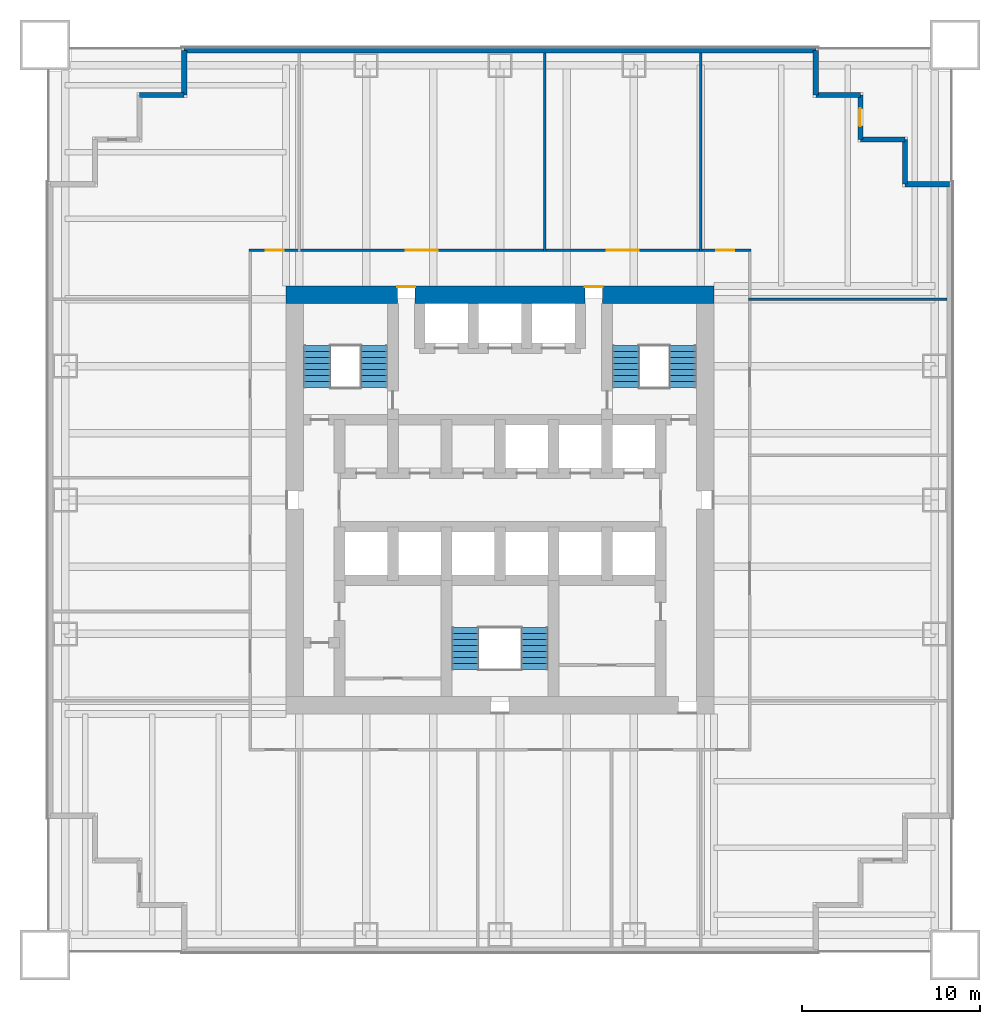
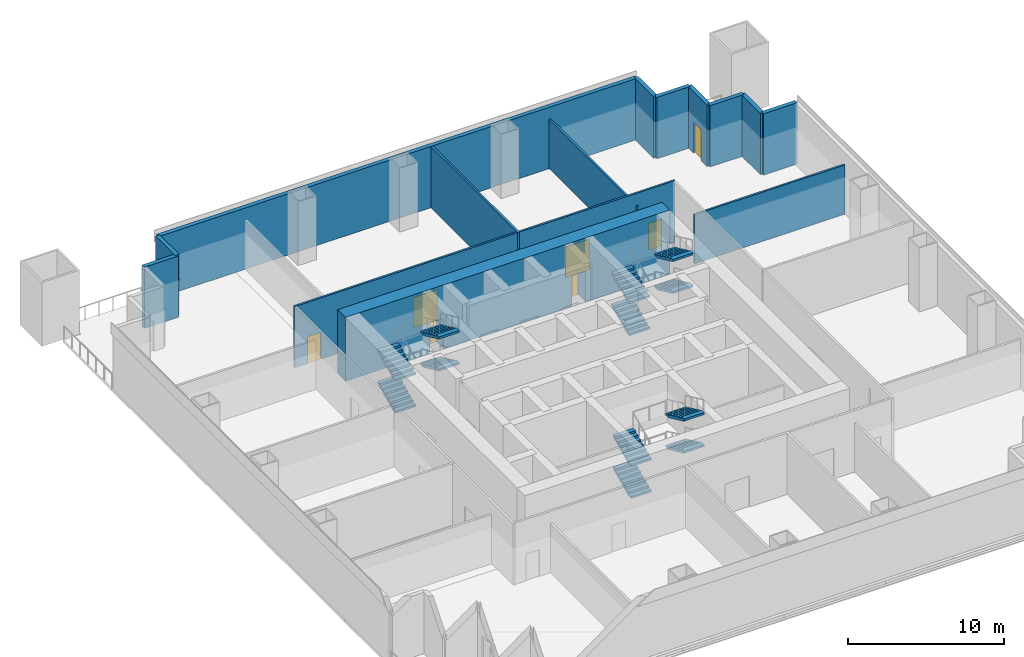
# One storey, part 4 of 6: 14 walls, 12 stair flights, 7 doors, 7 openings, 3 elements without a shape of their own.
"""IFC4 building model written with IfcOpenShell, lengths in metres."""

from ifc_helpers import new_model, si_unit, direction, frame, frame_2d, origin, place, context, subcontext, project, spatial, polyline, rectangle, outline, extrude, material, layer, layer_set, type_object, element, fill, aggregate, save


model = new_model("IFC4")

# Units and contexts
model_context = context("Model", 3, precision=1e-05, world=origin(), true_north=direction((0.0, 1.0)))
body_context = subcontext(model_context, "Body", "Model", "MODEL_VIEW")
ifc_project = project(units=[si_unit("LENGTHUNIT", "METRE"), si_unit("AREAUNIT", "SQUARE_METRE"), si_unit("VOLUMEUNIT", "CUBIC_METRE"), si_unit("PLANEANGLEUNIT", "RADIAN"), si_unit("MASSUNIT", "GRAM", prefix="KILO")], contexts=[model_context])

# Site, building, storey
site_placement = place(None, origin())
site = spatial("IfcSite", under=ifc_project, at=site_placement, CompositionType="ELEMENT")
building_placement = place(site_placement, origin())
building = spatial("IfcBuilding", under=site, at=building_placement, Name="Tarangal Relay Tower", CompositionType="ELEMENT")
storey_placement = place(building_placement, frame((0.0, 0.0, 28.39990234375)))
storey = spatial("IfcBuildingStorey", under=building, at=storey_placement, Name="L05", CompositionType="ELEMENT", Elevation=28.39990234375)

# Wall, openings, doors
ifc_material_1 = material(Name="Concrete fc' 60 MPa", Category="concrete")
ifc_layer_1 = layer(ifc_material_1, 1.0)
ifc_layer_set_1 = layer_set([ifc_layer_1], Name="Core wall 1000")
wall_type_1 = type_object("IfcWallType", Name="Core wall 1000", PredefinedType="SHEAR", material=ifc_layer_set_1)
wall_1_placement = place(storey_placement, frame((-12.0, 11.5, 0.0), z_axis=(0.0, 0.0, 1.0), x_axis=(1.0, 0.0, 0.0)))
wall_1 = element("IfcWall", 1, at=wall_1_placement, inside=storey, type_object=wall_type_1, Name="Core wall N L05", PredefinedType="SHEAR", context=body_context, shape_type="SweptSolid", body=[
    extrude(rectangle(XDim=24.0, YDim=1.0, at=frame_2d((12.0, 0.0))), origin(), (0.0, 0.0, 1.0), 5.0),
])
opening_1_placement = place(wall_1_placement, frame((6.25, 0.0, 0.0)))
opening_1 = element("IfcOpeningElement", 2, at=opening_1_placement, cuts=wall_1, Name="Opening FD3", PredefinedType="OPENING", context=body_context, shape_type="SweptSolid", body=[
    extrude(rectangle(XDim=1.0, YDim=2.39990234375, at=frame_2d((0.5, 1.199951171875))), frame((0.0, 0.510009765625, 0.0), z_axis=(0.0, -1.0, 0.0), x_axis=(1.0, 0.0, 0.0)), (0.0, 0.0, 1.0), 1.02001953125),
])
opening_2_placement = place(wall_1_placement, frame((16.75, 0.0, 0.0)))
opening_2 = element("IfcOpeningElement", 3, at=opening_2_placement, cuts=wall_1, Name="Opening FD3", PredefinedType="OPENING", context=body_context, shape_type="SweptSolid", body=[
    extrude(rectangle(XDim=1.0, YDim=2.39990234375, at=frame_2d((0.5, 1.199951171875))), frame((0.0, 0.510009765625, 0.0), z_axis=(0.0, -1.0, 0.0), x_axis=(1.0, 0.0, 0.0)), (0.0, 0.0, 1.0), 1.02001953125),
])
ifc_material_2 = material(Name="Steel door with hardwood frame", Category="steel")
door_type_1 = type_object("IfcDoorType", Name="Fire door 1000 x 2400 core entry", OperationType="SINGLE_SWING_RIGHT", PredefinedType="DOOR", material=ifc_material_2)
door_1_placement = place(opening_1_placement, origin())
door_1 = element("IfcDoor", 4, at=door_1_placement, inside=storey, type_object=door_type_1, Name="Core entry door north west L05", OperationType="SINGLE_SWING_RIGHT", OverallHeight=2.39990234375, OverallWidth=1.0, PredefinedType="DOOR", context=body_context, shape_type="SweptSolid", body=[
    extrude(rectangle(XDim=1.0, YDim=2.39990234375, at=frame_2d((0.5, 1.199951171875))), frame((0.0, 0.48486328125, 0.0), z_axis=(0.0, -1.0, 0.0), x_axis=(1.0, 0.0, 0.0)), (0.0, 0.0, 1.0), 0.050048828125),
])
fill(opening_1, door_1)
door_2_placement = place(opening_2_placement, origin())
door_2 = element("IfcDoor", 5, at=door_2_placement, inside=storey, type_object=door_type_1, Name="Core entry door north east L05", OperationType="SINGLE_SWING_RIGHT", OverallHeight=2.39990234375, OverallWidth=1.0, PredefinedType="DOOR", context=body_context, shape_type="SweptSolid", body=[
    extrude(rectangle(XDim=1.0, YDim=2.39990234375, at=frame_2d((0.5, 1.199951171875))), frame((0.0, 0.48486328125, 0.0), z_axis=(0.0, -1.0, 0.0), x_axis=(1.0, 0.0, 0.0)), (0.0, 0.0, 1.0), 0.050048828125),
])
fill(opening_2, door_2)

# Walls
ifc_material_3 = material(Name="Insulated precast concrete fc' 40 MPa", Category="concrete")
ifc_layer_2 = layer(ifc_material_3, 0.300048828125)
ifc_layer_set_2 = layer_set([ifc_layer_2], Name="Insulated precast concrete fc' 40 MPa")
wall_type_2 = type_object("IfcWallType", Name="Facade wall precast 300", PredefinedType="SOLIDWALL", material=ifc_layer_set_2)
wall_2_placement = place(storey_placement, frame((-17.699951171875, 25.199951171875, 0.0), z_axis=(0.0, 0.0, 1.0), x_axis=(1.0, 0.0, 0.0)))
element("IfcWall", 6, at=wall_2_placement, inside=storey, type_object=wall_type_2, Name="Facade wall N facade L05", PredefinedType="SOLIDWALL", context=body_context, shape_type="SweptSolid", body=[
    extrude(rectangle(XDim=35.39990234375, YDim=0.300048828125, at=frame_2d((17.699951171875, 0.0))), origin(), (0.0, 0.0, 1.0), 4.800048828125),
])
for number, where, z_axis, x_axis, name in (
    (7, (17.699951171875, 25.199951171875, 0.0), (0.0, 0.0, 1.0), (0.0, -1.0, 0.0), "Facade wall N facade L05"),
    (8, (17.699951171875, 22.699951171875, 0.0), (0.0, 0.0, 1.0), (1.0, 0.0, 0.0), "Facade wall N facade L05"),
):
    element("IfcWall", number, at=place(storey_placement, frame(where, z_axis=z_axis, x_axis=x_axis)), inside=storey, type_object=wall_type_2, Name=name, PredefinedType="SOLIDWALL", context=body_context, shape_type="SweptSolid", body=[
        extrude(rectangle(XDim=2.5, YDim=0.300048828125, at=frame_2d((1.25, 0.0))), origin(), (0.0, 0.0, 1.0), 4.800048828125),
    ])

# Wall, opening, door
wall_3_placement = place(storey_placement, frame((20.199951171875, 22.699951171875, 0.0), z_axis=(0.0, 0.0, 1.0), x_axis=(0.0, -1.0, 0.0)))
wall_3 = element("IfcWall", 9, at=wall_3_placement, inside=storey, type_object=wall_type_2, Name="Facade wall N facade L05", PredefinedType="SOLIDWALL", context=body_context, shape_type="SweptSolid", body=[
    extrude(rectangle(XDim=2.5, YDim=0.300048828125, at=frame_2d((1.25, 0.0))), origin(), (0.0, 0.0, 1.0), 4.800048828125),
])
opening_3_placement = place(wall_3_placement, frame((0.75, 0.0, 0.0)))
opening_3 = element("IfcOpeningElement", 10, at=opening_3_placement, cuts=wall_3, Name="Opening TD1", PredefinedType="OPENING", context=body_context, shape_type="SweptSolid", body=[
    extrude(rectangle(XDim=1.0, YDim=2.39990234375, at=frame_2d((0.5, 1.199951171875))), frame((0.0, 0.159912109375, 0.0), z_axis=(0.0, -1.0, 0.0), x_axis=(1.0, 0.0, 0.0)), (0.0, 0.0, 1.0), 0.320068359375),
])
ifc_material_4 = material(Name="Aluminium glazed door", Category="aluminium")
door_type_2 = type_object("IfcDoorType", Name="Terrace door 1000 x 2400", OperationType="SINGLE_SWING_RIGHT", PredefinedType="DOOR", material=ifc_material_4)
door_3_placement = place(opening_3_placement, origin())
door_3 = element("IfcDoor", 11, at=door_3_placement, inside=storey, type_object=door_type_2, Name="Terrace door TD1 NE L05", OperationType="SINGLE_SWING_RIGHT", OverallHeight=2.39990234375, OverallWidth=1.0, PredefinedType="DOOR", context=body_context, shape_type="SweptSolid", body=[
    extrude(rectangle(XDim=1.0, YDim=2.39990234375, at=frame_2d((0.5, 1.199951171875))), frame((0.0, 0.02490234375, 0.0), z_axis=(0.0, -1.0, 0.0), x_axis=(1.0, 0.0, 0.0)), (0.0, 0.0, 1.0), 0.050048828125),
])
fill(opening_3, door_3)

# Walls
for number, where, z_axis, x_axis, name in (
    (12, (20.199951171875, 20.199951171875, 0.0), (0.0, 0.0, 1.0), (1.0, 0.0, 0.0), "Facade wall N facade L05"),
    (13, (22.699951171875, 20.199951171875, 0.0), (0.0, 0.0, 1.0), (0.0, -1.0, 0.0), "Facade wall N facade L05"),
    (14, (22.699951171875, 17.699951171875, 0.0), (0.0, 0.0, 1.0), (1.0, 0.0, 0.0), "Facade wall N facade L05"),
    (15, (-20.199951171875, 22.699951171875, 0.0), (0.0, 0.0, 1.0), (1.0, 0.0, 0.0), "Facade wall W facade L05"),
    (16, (-17.699951171875, 22.699951171875, 0.0), (0.0, 0.0, 1.0), (0.0, 1.0, 0.0), "Facade wall W facade L05"),
):
    element("IfcWall", number, at=place(storey_placement, frame(where, z_axis=z_axis, x_axis=x_axis)), inside=storey, type_object=wall_type_2, Name=name, PredefinedType="SOLIDWALL", context=body_context, shape_type="SweptSolid", body=[
        extrude(rectangle(XDim=2.5, YDim=0.300048828125, at=frame_2d((1.25, 0.0))), origin(), (0.0, 0.0, 1.0), 4.800048828125),
    ])
ifc_material_5 = material(Name="Gypsum board on steel studs", Category="steel")
ifc_layer_3 = layer(ifc_material_5, 0.14990234375)
ifc_layer_set_3 = layer_set([ifc_layer_3], Name="Partition 150")
wall_type_3 = type_object("IfcWallType", Name="Partition 150", PredefinedType="PARTITIONING", material=ifc_layer_set_3)
wall_4_placement = place(storey_placement, frame((13.925048828125, 11.25, 0.0), z_axis=(0.0, 0.0, 1.0), x_axis=(1.0, 0.0, 0.0)))
element("IfcWall", 17, at=wall_4_placement, inside=storey, type_object=wall_type_3, Name="Partition PT1 L05", PredefinedType="PARTITIONING", context=body_context, shape_type="SweptSolid", body=[
    extrude(rectangle(XDim=11.125, YDim=0.14990234375, at=frame_2d((5.5625, 0.0))), origin(), (0.0, 0.0, 1.0), 3.852783203125),
])

# Wall, openings, doors
wall_5_placement = place(storey_placement, frame((-14.074951171875, 14.0, 0.0), z_axis=(0.0, 0.0, 1.0), x_axis=(1.0, 0.0, 0.0)))
wall_5 = element("IfcWall", 18, at=wall_5_placement, inside=storey, type_object=wall_type_3, Name="Partition PT1 L05", PredefinedType="PARTITIONING", context=body_context, shape_type="SweptSolid", body=[
    extrude(rectangle(XDim=28.14990234375, YDim=0.14990234375, at=frame_2d((14.074951171875, 0.0))), origin(), (0.0, 0.0, 1.0), 4.800048828125),
])
opening_4_placement = place(wall_5_placement, frame((8.800048828125, 0.0, 0.0)))
opening_4 = element("IfcOpeningElement", 19, at=opening_4_placement, cuts=wall_5, Name="Opening DD1", PredefinedType="OPENING", context=body_context, shape_type="SweptSolid", body=[
    extrude(rectangle(XDim=1.800048828125, YDim=2.39990234375, at=frame_2d((0.89990234375, 1.199951171875))), frame((0.0, 0.0849609375, 0.0), z_axis=(0.0, -1.0, 0.0), x_axis=(1.0, 0.0, 0.0)), (0.0, 0.0, 1.0), 0.169921875),
])
opening_5_placement = place(wall_5_placement, frame((20.050048828125, 0.0, 0.0)))
opening_5 = element("IfcOpeningElement", 20, at=opening_5_placement, cuts=wall_5, Name="Opening DD1", PredefinedType="OPENING", context=body_context, shape_type="SweptSolid", body=[
    extrude(rectangle(XDim=1.800048828125, YDim=2.39990234375, at=frame_2d((0.89990234375, 1.199951171875))), frame((0.0, 0.0849609375, 0.0), z_axis=(0.0, -1.0, 0.0), x_axis=(1.0, 0.0, 0.0)), (0.0, 0.0, 1.0), 0.169921875),
])
opening_6_placement = place(wall_5_placement, frame((26.199951171875, 0.0, 0.0)))
opening_6 = element("IfcOpeningElement", 21, at=opening_6_placement, cuts=wall_5, Name="Opening D2", PredefinedType="OPENING", context=body_context, shape_type="SweptSolid", body=[
    extrude(rectangle(XDim=1.0, YDim=2.10009765625, at=frame_2d((0.5, 1.050048828125))), frame((0.0, 0.0849609375, 0.0), z_axis=(0.0, -1.0, 0.0), x_axis=(1.0, 0.0, 0.0)), (0.0, 0.0, 1.0), 0.169921875),
])
opening_7_placement = place(wall_5_placement, frame((0.949951171875, 0.0, 0.0)))
opening_7 = element("IfcOpeningElement", 22, at=opening_7_placement, cuts=wall_5, Name="Opening D2", PredefinedType="OPENING", context=body_context, shape_type="SweptSolid", body=[
    extrude(rectangle(XDim=1.0, YDim=2.10009765625, at=frame_2d((0.5, 1.050048828125))), frame((0.0, 0.0849609375, 0.0), z_axis=(0.0, -1.0, 0.0), x_axis=(1.0, 0.0, 0.0)), (0.0, 0.0, 1.0), 0.169921875),
])
ifc_material_6 = material(Name="Hardwood door", Category="wood")
door_type_3 = type_object("IfcDoorType", Name="Door 1000 x 2100", OperationType="SINGLE_SWING_LEFT", PredefinedType="DOOR", material=ifc_material_6)
door_4_placement = place(opening_6_placement, origin())
door_4 = element("IfcDoor", 23, at=door_4_placement, inside=storey, type_object=door_type_3, Name="Door D2 to engineering office L05-12", OperationType="SINGLE_SWING_LEFT", OverallHeight=2.10009765625, OverallWidth=1.0, PredefinedType="DOOR", context=body_context, shape_type="SweptSolid", body=[
    extrude(rectangle(XDim=1.0, YDim=2.10009765625, at=frame_2d((0.5, 1.050048828125))), frame((0.0, 0.02490234375, 0.0), z_axis=(0.0, -1.0, 0.0), x_axis=(1.0, 0.0, 0.0)), (0.0, 0.0, 1.0), 0.050048828125),
])
fill(opening_6, door_4)
door_5_placement = place(opening_7_placement, origin())
door_5 = element("IfcDoor", 24, at=door_5_placement, inside=storey, type_object=door_type_3, Name="Door D2 to network operations room L05-15", OperationType="SINGLE_SWING_LEFT", OverallHeight=2.10009765625, OverallWidth=1.0, PredefinedType="DOOR", context=body_context, shape_type="SweptSolid", body=[
    extrude(rectangle(XDim=1.0, YDim=2.10009765625, at=frame_2d((0.5, 1.050048828125))), frame((0.0, 0.02490234375, 0.0), z_axis=(0.0, -1.0, 0.0), x_axis=(1.0, 0.0, 0.0)), (0.0, 0.0, 1.0), 0.050048828125),
])
fill(opening_7, door_5)
door_type_4 = type_object("IfcDoorType", Name="Equipment double door 1800 x 2400", OperationType="DOUBLE_DOOR_SINGLE_SWING", PredefinedType="DOOR", material=ifc_material_2)
door_6_placement = place(opening_4_placement, origin())
door_6 = element("IfcDoor", 25, at=door_6_placement, inside=storey, type_object=door_type_4, Name="Door DD1 to data hall L05-02", OperationType="DOUBLE_DOOR_SINGLE_SWING", OverallHeight=2.39990234375, OverallWidth=1.800048828125, PredefinedType="DOOR", context=body_context, shape_type="SweptSolid", body=[
    extrude(rectangle(XDim=1.800048828125, YDim=2.39990234375, at=frame_2d((0.89990234375, 1.199951171875))), frame((0.0, 0.02490234375, 0.0), z_axis=(0.0, -1.0, 0.0), x_axis=(1.0, 0.0, 0.0)), (0.0, 0.0, 1.0), 0.050048828125),
])
fill(opening_4, door_6)
door_7_placement = place(opening_5_placement, origin())
door_7 = element("IfcDoor", 26, at=door_7_placement, inside=storey, type_object=door_type_4, Name="Door DD1 to meet-me room L05-03", OperationType="DOUBLE_DOOR_SINGLE_SWING", OverallHeight=2.39990234375, OverallWidth=1.800048828125, PredefinedType="DOOR", context=body_context, shape_type="SweptSolid", body=[
    extrude(rectangle(XDim=1.800048828125, YDim=2.39990234375, at=frame_2d((0.89990234375, 1.199951171875))), frame((0.0, 0.02490234375, 0.0), z_axis=(0.0, -1.0, 0.0), x_axis=(1.0, 0.0, 0.0)), (0.0, 0.0, 1.0), 0.050048828125),
])
fill(opening_5, door_7)

# Walls
wall_6_placement = place(storey_placement, frame((2.5, 13.925048828125, 0.0), z_axis=(0.0, 0.0, 1.0), x_axis=(0.0, 1.0, 0.0)))
element("IfcWall", 27, at=wall_6_placement, inside=storey, type_object=wall_type_3, Name="Partition PT1 L05", PredefinedType="PARTITIONING", context=body_context, shape_type="SweptSolid", body=[
    extrude(rectangle(XDim=11.125, YDim=0.14990234375, at=frame_2d((5.5625, 0.0))), origin(), (0.0, 0.0, 1.0), 4.800048828125),
])
wall_7_placement = place(storey_placement, frame((11.25, 13.925048828125, 0.0), z_axis=(0.0, 0.0, 1.0), x_axis=(0.0, 1.0, 0.0)))
element("IfcWall", 28, at=wall_7_placement, inside=storey, type_object=wall_type_3, Name="Partition PT1 L05", PredefinedType="PARTITIONING", context=body_context, shape_type="SweptSolid", body=[
    extrude(rectangle(XDim=11.125, YDim=0.14990234375, at=frame_2d((5.5625, 0.0))), origin(), (0.0, 0.0, 1.0), 3.852783203125),
])

# Stair, stair flights
ifc_material_7 = material(Name="Steel ASTM A992 stair flight", Category="steel")
stair_type = type_object("IfcStairType", Name="Core stair 1500", PredefinedType="HALF_TURN_STAIR", material=ifc_material_7)
stair_1_placement = place(storey_placement, origin())
stair_1 = element("IfcStair", 29, at=stair_1_placement, inside=storey, type_object=stair_type, Name="Stair ST-A L05", PredefinedType="HALF_TURN_STAIR")
stair_flight_type = type_object("IfcStairFlightType", Name="Steel stair flight 1500, 8 risers 156 x 335", PredefinedType="STRAIGHT", material=ifc_material_7)
stair_flight_1_placement = place(storey_placement, frame((-10.25, 6.300048828125, 0.0), z_axis=(0.0, 0.0, 1.0), x_axis=(0.0, 1.0, 0.0)))
stair_flight_1 = element("IfcStairFlight", 30, at=stair_flight_1_placement, type_object=stair_flight_type, Name="ST-A flight 1", NumberOfRisers=8, NumberOfTreads=7, PredefinedType="STRAIGHT", RiserHeight=0.15625, TreadLength=0.335, context=body_context, shape_type="SweptSolid", body=[
    extrude(outline(polyline([(0.0, 0.0), (0.0, 0.15625), (0.3349609375, 0.15625), (0.3349609375, 0.3125), (0.669921875, 0.3125), (0.669921875, 0.46875), (1.0048828125, 0.46875), (1.0048828125, 0.625), (1.340087890625, 0.625), (1.340087890625, 0.78125), (1.675048828125, 0.78125), (1.675048828125, 0.9375), (2.010009765625, 0.9375), (2.010009765625, 1.09375), (2.344970703125, 1.09375), (2.344970703125, 1.25), (2.344970703125, 0.92822265625), (0.354736328125, 0.0), (0.0, 0.0)])), frame((0.0, 0.75, 0.0), z_axis=(0.0, -1.0, 0.0), x_axis=(1.0, 0.0, 0.0)), (0.0, 0.0, 1.0), 1.5),
])
stair_flight_2_placement = place(storey_placement, frame((-7.050048828125, 8.64501953125, 1.25), z_axis=(0.0, 0.0, 1.0), x_axis=(0.0, -1.0, 0.0)))
stair_flight_2 = element("IfcStairFlight", 31, at=stair_flight_2_placement, type_object=stair_flight_type, Name="ST-A flight 2", NumberOfRisers=8, NumberOfTreads=7, PredefinedType="STRAIGHT", RiserHeight=0.15625, TreadLength=0.335, context=body_context, shape_type="SweptSolid", body=[
    extrude(outline(polyline([(0.0, 0.0), (0.0, 0.15625), (0.3349609375, 0.15625), (0.3349609375, 0.3125), (0.669921875, 0.3125), (0.669921875, 0.46875), (1.0048828125, 0.46875), (1.0048828125, 0.625), (1.340087890625, 0.625), (1.340087890625, 0.78125), (1.675048828125, 0.78125), (1.675048828125, 0.9375), (2.010009765625, 0.9375), (2.010009765625, 1.09375), (2.344970703125, 1.09375), (2.344970703125, 1.25), (2.344970703125, 0.92822265625), (0.354736328125, 0.0), (0.0, 0.0)])), frame((0.0, 0.75, 0.0), z_axis=(0.0, -1.0, 0.0), x_axis=(1.0, 0.0, 0.0)), (0.0, 0.0, 1.0), 1.5),
])
stair_flight_3_placement = place(storey_placement, frame((-10.25, 6.300048828125, 2.5), z_axis=(0.0, 0.0, 1.0), x_axis=(0.0, 1.0, 0.0)))
stair_flight_3 = element("IfcStairFlight", 32, at=stair_flight_3_placement, type_object=stair_flight_type, Name="ST-A flight 3", NumberOfRisers=8, NumberOfTreads=7, PredefinedType="STRAIGHT", RiserHeight=0.15625, TreadLength=0.335, context=body_context, shape_type="SweptSolid", body=[
    extrude(outline(polyline([(0.0, 0.0), (0.0, 0.15625), (0.3349609375, 0.15625), (0.3349609375, 0.3125), (0.669921875, 0.3125), (0.669921875, 0.46875), (1.0048828125, 0.46875), (1.0048828125, 0.625), (1.340087890625, 0.625), (1.340087890625, 0.78125), (1.675048828125, 0.78125), (1.675048828125, 0.9375), (2.010009765625, 0.9375), (2.010009765625, 1.09375), (2.344970703125, 1.09375), (2.344970703125, 1.25), (2.344970703125, 0.92822265625), (0.354736328125, 0.0), (0.0, 0.0)])), frame((0.0, 0.75, 0.0), z_axis=(0.0, -1.0, 0.0), x_axis=(1.0, 0.0, 0.0)), (0.0, 0.0, 1.0), 1.5),
])
stair_flight_4_placement = place(storey_placement, frame((-7.050048828125, 8.64501953125, 3.75), z_axis=(0.0, 0.0, 1.0), x_axis=(0.0, -1.0, 0.0)))
stair_flight_4 = element("IfcStairFlight", 33, at=stair_flight_4_placement, type_object=stair_flight_type, Name="ST-A flight 4", NumberOfRisers=8, NumberOfTreads=7, PredefinedType="STRAIGHT", RiserHeight=0.15625, TreadLength=0.335, context=body_context, shape_type="SweptSolid", body=[
    extrude(outline(polyline([(0.0, 0.0), (0.0, 0.15625), (0.3349609375, 0.15625), (0.3349609375, 0.3125), (0.669921875, 0.3125), (0.669921875, 0.46875), (1.0048828125, 0.46875), (1.0048828125, 0.625), (1.340087890625, 0.625), (1.340087890625, 0.78125), (1.675048828125, 0.78125), (1.675048828125, 0.9375), (2.010009765625, 0.9375), (2.010009765625, 1.09375), (2.344970703125, 1.09375), (2.344970703125, 1.25), (2.344970703125, 0.92822265625), (0.354736328125, 0.0), (0.0, 0.0)])), frame((0.0, 0.75, 0.0), z_axis=(0.0, -1.0, 0.0), x_axis=(1.0, 0.0, 0.0)), (0.0, 0.0, 1.0), 1.5),
])
aggregate(stair_1, [stair_flight_1, stair_flight_2, stair_flight_3, stair_flight_4])

stair_2_placement = place(storey_placement, origin())
stair_2 = element("IfcStair", 34, at=stair_2_placement, inside=storey, type_object=stair_type, Name="Stair ST-B L05", PredefinedType="HALF_TURN_STAIR")
stair_flight_5_placement = place(storey_placement, frame((7.050048828125, 6.300048828125, 0.0), z_axis=(0.0, 0.0, 1.0), x_axis=(0.0, 1.0, 0.0)))
stair_flight_5 = element("IfcStairFlight", 35, at=stair_flight_5_placement, type_object=stair_flight_type, Name="ST-B flight 1", NumberOfRisers=8, NumberOfTreads=7, PredefinedType="STRAIGHT", RiserHeight=0.15625, TreadLength=0.335, context=body_context, shape_type="SweptSolid", body=[
    extrude(outline(polyline([(0.0, 0.0), (0.0, 0.15625), (0.3349609375, 0.15625), (0.3349609375, 0.3125), (0.669921875, 0.3125), (0.669921875, 0.46875), (1.0048828125, 0.46875), (1.0048828125, 0.625), (1.340087890625, 0.625), (1.340087890625, 0.78125), (1.675048828125, 0.78125), (1.675048828125, 0.9375), (2.010009765625, 0.9375), (2.010009765625, 1.09375), (2.344970703125, 1.09375), (2.344970703125, 1.25), (2.344970703125, 0.92822265625), (0.354736328125, 0.0), (0.0, 0.0)])), frame((0.0, 0.75, 0.0), z_axis=(0.0, -1.0, 0.0), x_axis=(1.0, 0.0, 0.0)), (0.0, 0.0, 1.0), 1.5),
])
stair_flight_6_placement = place(storey_placement, frame((10.25, 8.64501953125, 1.25), z_axis=(0.0, 0.0, 1.0), x_axis=(0.0, -1.0, 0.0)))
stair_flight_6 = element("IfcStairFlight", 36, at=stair_flight_6_placement, type_object=stair_flight_type, Name="ST-B flight 2", NumberOfRisers=8, NumberOfTreads=7, PredefinedType="STRAIGHT", RiserHeight=0.15625, TreadLength=0.335, context=body_context, shape_type="SweptSolid", body=[
    extrude(outline(polyline([(0.0, 0.0), (0.0, 0.15625), (0.3349609375, 0.15625), (0.3349609375, 0.3125), (0.669921875, 0.3125), (0.669921875, 0.46875), (1.0048828125, 0.46875), (1.0048828125, 0.625), (1.340087890625, 0.625), (1.340087890625, 0.78125), (1.675048828125, 0.78125), (1.675048828125, 0.9375), (2.010009765625, 0.9375), (2.010009765625, 1.09375), (2.344970703125, 1.09375), (2.344970703125, 1.25), (2.344970703125, 0.92822265625), (0.354736328125, 0.0), (0.0, 0.0)])), frame((0.0, 0.75, 0.0), z_axis=(0.0, -1.0, 0.0), x_axis=(1.0, 0.0, 0.0)), (0.0, 0.0, 1.0), 1.5),
])
stair_flight_7_placement = place(storey_placement, frame((7.050048828125, 6.300048828125, 2.5), z_axis=(0.0, 0.0, 1.0), x_axis=(0.0, 1.0, 0.0)))
stair_flight_7 = element("IfcStairFlight", 37, at=stair_flight_7_placement, type_object=stair_flight_type, Name="ST-B flight 3", NumberOfRisers=8, NumberOfTreads=7, PredefinedType="STRAIGHT", RiserHeight=0.15625, TreadLength=0.335, context=body_context, shape_type="SweptSolid", body=[
    extrude(outline(polyline([(0.0, 0.0), (0.0, 0.15625), (0.3349609375, 0.15625), (0.3349609375, 0.3125), (0.669921875, 0.3125), (0.669921875, 0.46875), (1.0048828125, 0.46875), (1.0048828125, 0.625), (1.340087890625, 0.625), (1.340087890625, 0.78125), (1.675048828125, 0.78125), (1.675048828125, 0.9375), (2.010009765625, 0.9375), (2.010009765625, 1.09375), (2.344970703125, 1.09375), (2.344970703125, 1.25), (2.344970703125, 0.92822265625), (0.354736328125, 0.0), (0.0, 0.0)])), frame((0.0, 0.75, 0.0), z_axis=(0.0, -1.0, 0.0), x_axis=(1.0, 0.0, 0.0)), (0.0, 0.0, 1.0), 1.5),
])
stair_flight_8_placement = place(storey_placement, frame((10.25, 8.64501953125, 3.75), z_axis=(0.0, 0.0, 1.0), x_axis=(0.0, -1.0, 0.0)))
stair_flight_8 = element("IfcStairFlight", 38, at=stair_flight_8_placement, type_object=stair_flight_type, Name="ST-B flight 4", NumberOfRisers=8, NumberOfTreads=7, PredefinedType="STRAIGHT", RiserHeight=0.15625, TreadLength=0.335, context=body_context, shape_type="SweptSolid", body=[
    extrude(outline(polyline([(0.0, 0.0), (0.0, 0.15625), (0.3349609375, 0.15625), (0.3349609375, 0.3125), (0.669921875, 0.3125), (0.669921875, 0.46875), (1.0048828125, 0.46875), (1.0048828125, 0.625), (1.340087890625, 0.625), (1.340087890625, 0.78125), (1.675048828125, 0.78125), (1.675048828125, 0.9375), (2.010009765625, 0.9375), (2.010009765625, 1.09375), (2.344970703125, 1.09375), (2.344970703125, 1.25), (2.344970703125, 0.92822265625), (0.354736328125, 0.0), (0.0, 0.0)])), frame((0.0, 0.75, 0.0), z_axis=(0.0, -1.0, 0.0), x_axis=(1.0, 0.0, 0.0)), (0.0, 0.0, 1.0), 1.5),
])
aggregate(stair_2, [stair_flight_5, stair_flight_6, stair_flight_7, stair_flight_8])

stair_3_placement = place(storey_placement, origin())
stair_3 = element("IfcStair", 39, at=stair_3_placement, inside=storey, type_object=stair_type, Name="Stair ST-C L05", PredefinedType="HALF_TURN_STAIR")
stair_flight_9_placement = place(storey_placement, frame((-1.949951171875, -9.5, 0.0), z_axis=(0.0, 0.0, 1.0), x_axis=(0.0, 1.0, 0.0)))
stair_flight_9 = element("IfcStairFlight", 40, at=stair_flight_9_placement, type_object=stair_flight_type, Name="ST-C flight 1", NumberOfRisers=8, NumberOfTreads=7, PredefinedType="STRAIGHT", RiserHeight=0.15625, TreadLength=0.335, context=body_context, shape_type="SweptSolid", body=[
    extrude(outline(polyline([(0.0, 0.0), (0.0, 0.15625), (0.3349609375, 0.15625), (0.3349609375, 0.3125), (0.669921875, 0.3125), (0.669921875, 0.46875), (1.0048828125, 0.46875), (1.0048828125, 0.625), (1.340087890625, 0.625), (1.340087890625, 0.78125), (1.675048828125, 0.78125), (1.675048828125, 0.9375), (2.010009765625, 0.9375), (2.010009765625, 1.09375), (2.344970703125, 1.09375), (2.344970703125, 1.25), (2.344970703125, 0.92822265625), (0.354736328125, 0.0), (0.0, 0.0)])), frame((0.0, 0.75, 0.0), z_axis=(0.0, -1.0, 0.0), x_axis=(1.0, 0.0, 0.0)), (0.0, 0.0, 1.0), 1.5),
])
stair_flight_10_placement = place(storey_placement, frame((1.949951171875, -7.155029296875, 1.25), z_axis=(0.0, 0.0, 1.0), x_axis=(0.0, -1.0, 0.0)))
stair_flight_10 = element("IfcStairFlight", 41, at=stair_flight_10_placement, type_object=stair_flight_type, Name="ST-C flight 2", NumberOfRisers=8, NumberOfTreads=7, PredefinedType="STRAIGHT", RiserHeight=0.15625, TreadLength=0.335, context=body_context, shape_type="SweptSolid", body=[
    extrude(outline(polyline([(0.0, 0.0), (0.0, 0.15625), (0.3349609375, 0.15625), (0.3349609375, 0.3125), (0.669921875, 0.3125), (0.669921875, 0.46875), (1.0048828125, 0.46875), (1.0048828125, 0.625), (1.340087890625, 0.625), (1.340087890625, 0.78125), (1.675048828125, 0.78125), (1.675048828125, 0.9375), (2.010009765625, 0.9375), (2.010009765625, 1.09375), (2.344970703125, 1.09375), (2.344970703125, 1.25), (2.344970703125, 0.92822265625), (0.354736328125, 0.0), (0.0, 0.0)])), frame((0.0, 0.75, 0.0), z_axis=(0.0, -1.0, 0.0), x_axis=(1.0, 0.0, 0.0)), (0.0, 0.0, 1.0), 1.5),
])
stair_flight_11_placement = place(storey_placement, frame((-1.949951171875, -9.5, 2.5), z_axis=(0.0, 0.0, 1.0), x_axis=(0.0, 1.0, 0.0)))
stair_flight_11 = element("IfcStairFlight", 42, at=stair_flight_11_placement, type_object=stair_flight_type, Name="ST-C flight 3", NumberOfRisers=8, NumberOfTreads=7, PredefinedType="STRAIGHT", RiserHeight=0.15625, TreadLength=0.335, context=body_context, shape_type="SweptSolid", body=[
    extrude(outline(polyline([(0.0, 0.0), (0.0, 0.15625), (0.3349609375, 0.15625), (0.3349609375, 0.3125), (0.669921875, 0.3125), (0.669921875, 0.46875), (1.0048828125, 0.46875), (1.0048828125, 0.625), (1.340087890625, 0.625), (1.340087890625, 0.78125), (1.675048828125, 0.78125), (1.675048828125, 0.9375), (2.010009765625, 0.9375), (2.010009765625, 1.09375), (2.344970703125, 1.09375), (2.344970703125, 1.25), (2.344970703125, 0.92822265625), (0.354736328125, 0.0), (0.0, 0.0)])), frame((0.0, 0.75, 0.0), z_axis=(0.0, -1.0, 0.0), x_axis=(1.0, 0.0, 0.0)), (0.0, 0.0, 1.0), 1.5),
])
stair_flight_12_placement = place(storey_placement, frame((1.949951171875, -7.155029296875, 3.75), z_axis=(0.0, 0.0, 1.0), x_axis=(0.0, -1.0, 0.0)))
stair_flight_12 = element("IfcStairFlight", 43, at=stair_flight_12_placement, type_object=stair_flight_type, Name="ST-C flight 4", NumberOfRisers=8, NumberOfTreads=7, PredefinedType="STRAIGHT", RiserHeight=0.15625, TreadLength=0.335, context=body_context, shape_type="SweptSolid", body=[
    extrude(outline(polyline([(0.0, 0.0), (0.0, 0.15625), (0.3349609375, 0.15625), (0.3349609375, 0.3125), (0.669921875, 0.3125), (0.669921875, 0.46875), (1.0048828125, 0.46875), (1.0048828125, 0.625), (1.340087890625, 0.625), (1.340087890625, 0.78125), (1.675048828125, 0.78125), (1.675048828125, 0.9375), (2.010009765625, 0.9375), (2.010009765625, 1.09375), (2.344970703125, 1.09375), (2.344970703125, 1.25), (2.344970703125, 0.92822265625), (0.354736328125, 0.0), (0.0, 0.0)])), frame((0.0, 0.75, 0.0), z_axis=(0.0, -1.0, 0.0), x_axis=(1.0, 0.0, 0.0)), (0.0, 0.0, 1.0), 1.5),
])
aggregate(stair_3, [stair_flight_9, stair_flight_10, stair_flight_11, stair_flight_12])

save(model, "model.ifc")
